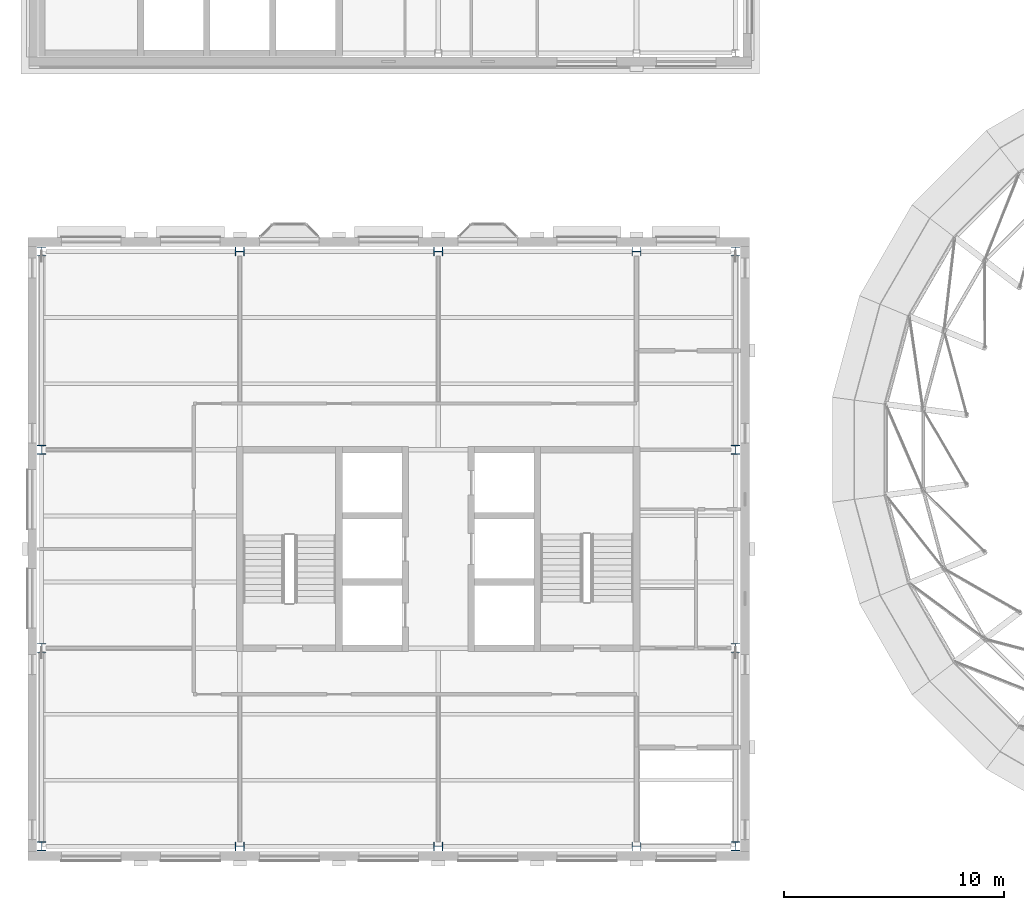
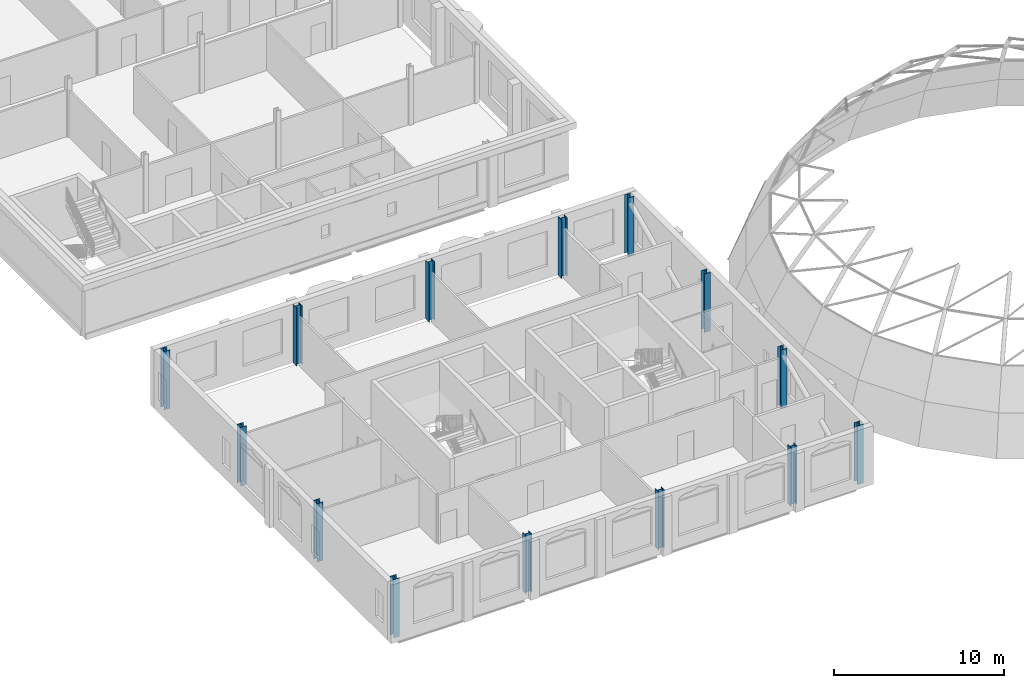
# One storey, part 1 of 62: 14 columns.
"""IFC4 building model written with IfcOpenShell, lengths in metres."""

from ifc_helpers import new_model, si_unit, direction, frame, origin, origin_2d, place, context, subcontext, project, spatial, i_section, extrude, material, material_profile, profile_set, type_object, element, save


model = new_model("IFC4")

# Units and contexts
model_context = context("Model", 3, precision=1e-05, world=origin(), true_north=direction((0.0, 1.0)))
body_context = subcontext(model_context, "Body", "Model", "MODEL_VIEW")
ifc_project = project(units=[si_unit("LENGTHUNIT", "METRE"), si_unit("AREAUNIT", "SQUARE_METRE"), si_unit("VOLUMEUNIT", "CUBIC_METRE"), si_unit("PLANEANGLEUNIT", "RADIAN"), si_unit("MASSUNIT", "GRAM", prefix="KILO")], contexts=[model_context])

# Site, building, storey
site_placement = place(None, origin())
site = spatial("IfcSite", under=ifc_project, at=site_placement, CompositionType="ELEMENT")
building_placement = place(site_placement, origin())
building = spatial("IfcBuilding", under=site, at=building_placement, Name="Hortulan Conservatory and Botanical Research Centre", CompositionType="ELEMENT")
storey_placement = place(building_placement, frame((0.0, 0.0, 15.0)))
storey = spatial("IfcBuildingStorey", under=building, at=storey_placement, Name="L03", CompositionType="ELEMENT", Elevation=15.0)

# Columns
ifc_material = material(Name="Steel Grade 300 (AS/NZS 3679.2, plate AS/NZS 3678, 280 MPa minimum yield)", Category="steel")
ifc_material_profile = material_profile(ifc_material, i_section(OverallWidth=0.39990234375, OverallDepth=0.422119140625, WebThickness=0.028076171875, FlangeThickness=0.035888671875, at=origin_2d()), Name="400WC303")
ifc_profile_set = profile_set([ifc_material_profile], Name="Steel Grade 300 (AS/NZS 3679.2, plate AS/NZS 3678, 280 MPa minimum yield)")
column_type = type_object("IfcColumnType", Name="Tower Column 400WC303", PredefinedType="COLUMN", material=ifc_profile_set)
for number, where, z_axis, x_axis, name in (
    (1, (0.0, 0.0, 0.0), (0.0, 0.0, 1.0), (1.0, 0.0, 0.0), "400WC303 column"),
    (2, (0.0, 9.0, 0.0), (0.0, 0.0, 1.0), (1.0, 0.0, 0.0), "400WC303 column"),
    (3, (0.0, 18.0, 0.0), (0.0, 0.0, 1.0), (1.0, 0.0, 0.0), "400WC303 column"),
    (4, (0.0, 27.0, 0.0), (0.0, 0.0, 1.0), (1.0, 0.0, 0.0), "400WC303 column"),
    (5, (9.0, 0.0, 0.0), (0.0, 0.0, 1.0), (0.0, 1.0, 0.0), "400WC303 column"),
    (6, (9.0, 27.0, 0.0), (0.0, 0.0, 1.0), (0.0, 1.0, 0.0), "400WC303 column"),
    (7, (18.0, 0.0, 0.0), (0.0, 0.0, 1.0), (0.0, 1.0, 0.0), "400WC303 column"),
    (8, (18.0, 27.0, 0.0), (0.0, 0.0, 1.0), (0.0, 1.0, 0.0), "400WC303 column"),
    (9, (27.0, 0.0, 0.0), (0.0, 0.0, 1.0), (0.0, 1.0, 0.0), "400WC303 column"),
    (10, (27.0, 27.0, 0.0), (0.0, 0.0, 1.0), (0.0, 1.0, 0.0), "400WC303 column"),
    (11, (31.5, 0.0, 0.0), (0.0, 0.0, 1.0), (1.0, 0.0, 0.0), "400WC303 column"),
    (12, (31.5, 9.0, 0.0), (0.0, 0.0, 1.0), (1.0, 0.0, 0.0), "400WC303 column"),
    (13, (31.5, 18.0, 0.0), (0.0, 0.0, 1.0), (1.0, 0.0, 0.0), "400WC303 column"),
    (14, (31.5, 27.0, 0.0), (0.0, 0.0, 1.0), (1.0, 0.0, 0.0), "400WC303 column"),
):
    element("IfcColumn", number, at=place(storey_placement, frame(where, z_axis=z_axis, x_axis=x_axis)), inside=storey, type_object=column_type, Name=name, PredefinedType="COLUMN", context=body_context, shape_type="SweptSolid", body=[
        extrude(i_section(OverallWidth=0.39990234375, OverallDepth=0.422119140625, WebThickness=0.028076171875, FlangeThickness=0.035888671875, at=origin_2d()), origin(), (0.0, 0.0, 1.0), 4.199951171875),
    ])

save(model, "model.ifc")
